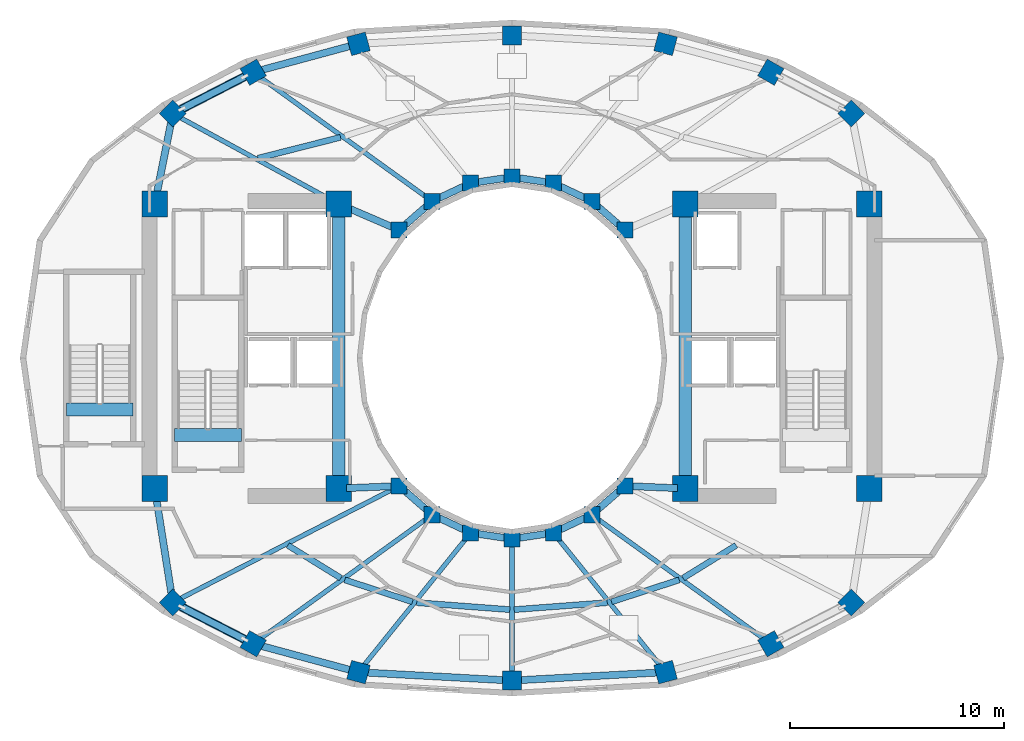
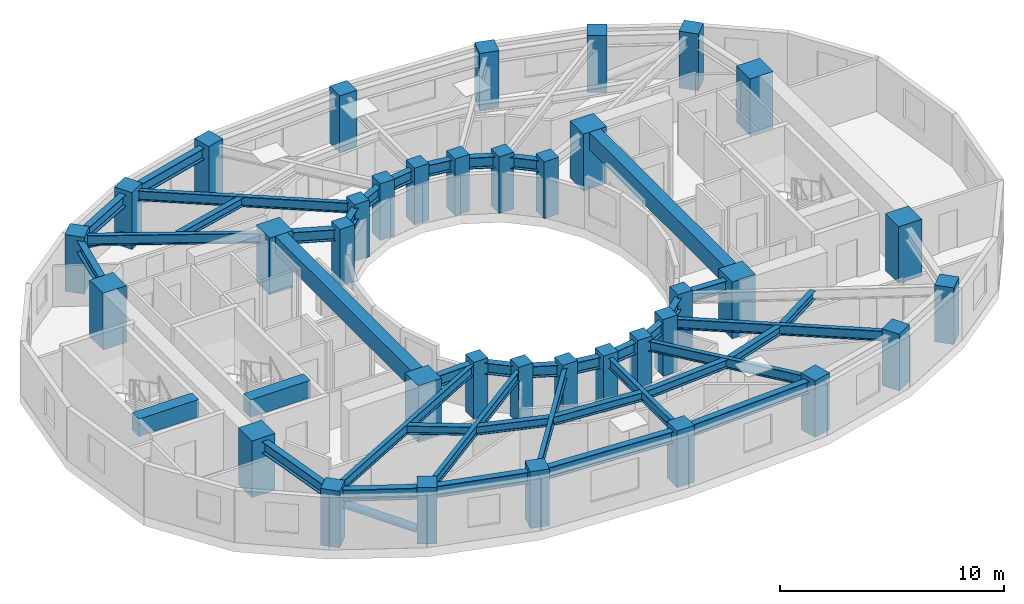
# One storey, part 1 of 9: 42 beams, 36 columns, 2 members.
"""IFC4 building model written with IfcOpenShell, lengths in metres."""

from ifc_helpers import new_model, si_unit, direction, frame, origin, origin_2d, place, context, subcontext, project, spatial, rectangle, hollow_circle, i_section, extrude, material, material_profile, profile_set, type_object, element, save


model = new_model("IFC4")

# Units and contexts
model_context = context("Model", 3, precision=1e-05, world=origin(), true_north=direction((0.0, 1.0)))
body_context = subcontext(model_context, "Body", "Model", "MODEL_VIEW")
ifc_project = project(units=[si_unit("LENGTHUNIT", "METRE"), si_unit("AREAUNIT", "SQUARE_METRE"), si_unit("VOLUMEUNIT", "CUBIC_METRE"), si_unit("PLANEANGLEUNIT", "RADIAN"), si_unit("MASSUNIT", "GRAM", prefix="KILO")], contexts=[model_context])

# Site, building, storey
site_placement = place(None, origin())
site = spatial("IfcSite", under=ifc_project, at=site_placement, CompositionType="ELEMENT")
building_placement = place(site_placement, origin())
building = spatial("IfcBuilding", under=site, at=building_placement, Name="Solvane Sanctuary Tower", CompositionType="ELEMENT")
storey_placement = place(building_placement, frame((0.0, 0.0, 162.199951171875)))
storey = spatial("IfcBuildingStorey", under=building, at=storey_placement, Name="L49", CompositionType="ELEMENT", Elevation=162.199951171875)

# Columns
ifc_material_1 = material(Name="Concrete C50/60", Category="concrete")
ifc_material_profile_1 = material_profile(ifc_material_1, rectangle(XDim=0.75, YDim=0.75, at=origin_2d()), Name="RC750X750")
ifc_profile_set_1 = profile_set([ifc_material_profile_1], Name="Concrete C50/60")
column_type_1 = type_object("IfcColumnType", Name="Column C-RING-Z3 RC750X750", PredefinedType="COLUMN", material=ifc_profile_set_1)
for number, where, z_axis, x_axis, name in (
    (1, (37.27490234375, 28.982177734375, 0.0), (0.0, 0.0, 1.0), (1.0, 0.0, 0.0), "L49 Inner Light-Well Ring Column IC01"),
    (2, (35.72998046875, 30.32666015625, 0.0), (0.0, 0.0, 1.0), (1.0, 0.0, 0.0), "L49 Inner Light-Well Ring Column IC02"),
    (3, (33.930908203125, 31.171630859375, 0.0), (0.0, 0.0, 1.0), (1.0, 0.0, 0.0), "L49 Inner Light-Well Ring Column IC03"),
    (4, (32.0, 31.4599609375, 0.0), (0.0, 0.0, 1.0), (1.0, 0.0, 0.0), "L49 Inner Light-Well Ring Column IC04"),
    (5, (30.069091796875, 31.171630859375, 0.0), (0.0, 0.0, 1.0), (1.0, 0.0, 0.0), "L49 Inner Light-Well Ring Column IC05"),
    (6, (28.27001953125, 30.32666015625, 0.0), (0.0, 0.0, 1.0), (1.0, 0.0, 0.0), "L49 Inner Light-Well Ring Column IC06"),
    (7, (26.72509765625, 28.982177734375, 0.0), (0.0, 0.0, 1.0), (1.0, 0.0, 0.0), "L49 Inner Light-Well Ring Column IC07"),
    (8, (26.72509765625, 17.017822265625, 0.0), (0.0, 0.0, 1.0), (1.0, 0.0, 0.0), "L49 Inner Light-Well Ring Column IC08"),
    (9, (28.27001953125, 15.67333984375, 0.0), (0.0, 0.0, 1.0), (1.0, 0.0, 0.0), "L49 Inner Light-Well Ring Column IC09"),
    (10, (30.069091796875, 14.828369140625, 0.0), (0.0, 0.0, 1.0), (1.0, 0.0, 0.0), "L49 Inner Light-Well Ring Column IC10"),
    (11, (32.0, 14.5400390625, 0.0), (0.0, 0.0, 1.0), (1.0, 0.0, 0.0), "L49 Inner Light-Well Ring Column IC11"),
    (12, (33.930908203125, 14.828369140625, 0.0), (0.0, 0.0, 1.0), (1.0, 0.0, 0.0), "L49 Inner Light-Well Ring Column IC12"),
    (13, (35.72998046875, 15.67333984375, 0.0), (0.0, 0.0, 1.0), (1.0, 0.0, 0.0), "L49 Inner Light-Well Ring Column IC13"),
    (14, (37.27490234375, 17.017822265625, 0.0), (0.0, 0.0, 1.0), (1.0, 0.0, 0.0), "L49 Inner Light-Well Ring Column IC14"),
):
    element("IfcColumn", number, at=place(storey_placement, frame(where, z_axis=z_axis, x_axis=x_axis)), inside=storey, type_object=column_type_1, Name=name, PredefinedType="COLUMN", context=body_context, shape_type="SweptSolid", body=[
        extrude(rectangle(XDim=0.75, YDim=0.75, at=origin_2d()), origin(), (0.0, 0.0, 1.0), 3.10009765625),
    ])
ifc_material_2 = material(Name="Concrete C70/85", Category="concrete")
ifc_material_profile_2 = material_profile(ifc_material_2, rectangle(XDim=1.199951171875, YDim=1.199951171875, at=origin_2d()), Name="RC1200X1200")
ifc_profile_set_2 = profile_set([ifc_material_profile_2], Name="Concrete C70/85")
column_type_2 = type_object("IfcColumnType", Name="Column C-TUBE-Z1 RC1200X1200", PredefinedType="COLUMN", material=ifc_profile_set_2)
for number, where, z_axis, x_axis, name in (
    (15, (15.300048828125, 16.89990234375, 0.0), (0.0, 0.0, 1.0), (1.0, 0.0, 0.0), "L49 Core Corner Column CW1"),
    (16, (23.89990234375, 16.89990234375, 0.0), (0.0, 0.0, 1.0), (1.0, 0.0, 0.0), "L49 Core Corner Column CW2"),
    (17, (23.89990234375, 30.199951171875, 0.0), (0.0, 0.0, 1.0), (1.0, 0.0, 0.0), "L49 Core Corner Column CW3"),
    (18, (15.300048828125, 30.199951171875, 0.0), (0.0, 0.0, 1.0), (1.0, 0.0, 0.0), "L49 Core Corner Column CW4"),
    (19, (40.10009765625, 16.89990234375, 0.0), (0.0, 0.0, 1.0), (1.0, 0.0, 0.0), "L49 Core Corner Column CE1"),
    (20, (48.699951171875, 16.89990234375, 0.0), (0.0, 0.0, 1.0), (1.0, 0.0, 0.0), "L49 Core Corner Column CE2"),
    (21, (48.699951171875, 30.199951171875, 0.0), (0.0, 0.0, 1.0), (1.0, 0.0, 0.0), "L49 Core Corner Column CE3"),
    (22, (40.10009765625, 30.199951171875, 0.0), (0.0, 0.0, 1.0), (1.0, 0.0, 0.0), "L49 Core Corner Column CE4"),
):
    element("IfcColumn", number, at=place(storey_placement, frame(where, z_axis=z_axis, x_axis=x_axis)), inside=storey, type_object=column_type_2, Name=name, PredefinedType="COLUMN", context=body_context, shape_type="SweptSolid", body=[
        extrude(rectangle(XDim=1.199951171875, YDim=1.199951171875, at=origin_2d()), origin(), (0.0, 0.0, 1.0), 3.10009765625),
    ])
ifc_material_3 = material(Name="Concrete C60/75", Category="concrete")
ifc_material_profile_3 = material_profile(ifc_material_3, rectangle(XDim=0.89990234375, YDim=0.89990234375, at=origin_2d()), Name="RC900X900")
ifc_profile_set_3 = profile_set([ifc_material_profile_3], Name="Concrete C60/75")
column_type_3 = type_object("IfcColumnType", Name="Column C-TUBE-Z3 RC900X900", PredefinedType="COLUMN", material=ifc_profile_set_3)
for number, where, z_axis, x_axis, name in (
    (23, (47.856689453125, 34.426513671875, 0.0), (0.0, 0.0, 1.0), (0.707106781187, 0.707106781187, 0.0), "L49 Perimeter Tube Column TC01"),
    (24, (44.09814453125, 36.359375, 0.0), (0.0, 0.0, 1.0), (0.5, 0.866025403784, 0.0), "L49 Perimeter Tube Column TC02"),
    (25, (39.17822265625, 37.686767578125, 0.0), (0.0, 0.0, 1.0), (0.258819045103, 0.965925826289, 0.0), "L49 Perimeter Tube Column TC03"),
    (26, (32.0, 38.080078125, 0.0), (0.0, 0.0, 1.0), (0.0, 1.0, 0.0), "L49 Perimeter Tube Column TC04"),
    (27, (24.82177734375, 37.686767578125, 0.0), (0.0, 0.0, 1.0), (-0.258819045103, 0.965925826289, 0.0), "L49 Perimeter Tube Column TC05"),
    (28, (19.90185546875, 36.359375, 0.0), (0.0, 0.0, 1.0), (-0.5, 0.866025403784, 0.0), "L49 Perimeter Tube Column TC06"),
    (29, (16.143310546875, 34.426513671875, 0.0), (0.0, 0.0, 1.0), (-0.707106781187, 0.707106781187, 0.0), "L49 Perimeter Tube Column TC07"),
    (30, (16.143310546875, 11.573486328125, 0.0), (0.0, 0.0, 1.0), (-0.707106781187, -0.707106781187, 0.0), "L49 Perimeter Tube Column TC08"),
    (31, (19.90185546875, 9.640625, 0.0), (0.0, 0.0, 1.0), (-0.5, -0.866025403784, 0.0), "L49 Perimeter Tube Column TC09"),
    (32, (24.82177734375, 8.313232421875, 0.0), (0.0, 0.0, 1.0), (-0.258819045103, -0.965925826289, 0.0), "L49 Perimeter Tube Column TC10"),
    (33, (32.0, 7.919921875, 0.0), (0.0, 0.0, 1.0), (0.0, -1.0, 0.0), "L49 Perimeter Tube Column TC11"),
    (34, (39.17822265625, 8.313232421875, 0.0), (0.0, 0.0, 1.0), (0.258819045103, -0.965925826289, 0.0), "L49 Perimeter Tube Column TC12"),
    (35, (44.09814453125, 9.640625, 0.0), (0.0, 0.0, 1.0), (0.5, -0.866025403784, 0.0), "L49 Perimeter Tube Column TC13"),
    (36, (47.856689453125, 11.573486328125, 0.0), (0.0, 0.0, 1.0), (0.707106781187, -0.707106781187, 0.0), "L49 Perimeter Tube Column TC14"),
):
    element("IfcColumn", number, at=place(storey_placement, frame(where, z_axis=z_axis, x_axis=x_axis)), inside=storey, type_object=column_type_3, Name=name, PredefinedType="COLUMN", context=body_context, shape_type="SweptSolid", body=[
        extrude(rectangle(XDim=0.89990234375, YDim=0.89990234375, at=origin_2d()), origin(), (0.0, 0.0, 1.0), 3.10009765625),
    ])

# Beams
ifc_material_profile_4 = material_profile(ifc_material_2, rectangle(XDim=0.60009765625, YDim=0.949951171875, at=origin_2d()), Name="RC600X950")
ifc_profile_set_4 = profile_set([ifc_material_profile_4], Name="Concrete C70/85")
beam_type_1 = type_object("IfcBeamType", Name="Beam B-COUPLE RC600X950", PredefinedType="LINTEL", material=ifc_profile_set_4)
for number, where, z_axis, x_axis, name in (
    (37, (23.89990234375, 17.35009765625, 2.625), (0.0, 1.0, 0.0), (-1.0, 0.0, 0.0), "L49 West Core Coupling Lintel"),
    (38, (40.10009765625, 17.35009765625, 2.625), (0.0, 1.0, 0.0), (-1.0, 0.0, 0.0), "L49 East Core Coupling Lintel"),
):
    element("IfcBeam", number, at=place(storey_placement, frame(where, z_axis=z_axis, x_axis=x_axis)), inside=storey, type_object=beam_type_1, Name=name, PredefinedType="LINTEL", context=body_context, shape_type="SweptSolid", body=[
        extrude(rectangle(XDim=0.60009765625, YDim=0.949951171875, at=origin_2d()), origin(), (0.0, 0.0, 1.0), 12.39990234375),
    ])
for number, where, z_axis, x_axis, name in (
    (39, (16.22998046875, 19.399169921875, 2.625), (1.0, 0.0, 0.0), (0.0, 1.0, 0.0), "L49 ST-1 Stair Floor Landing Trimmer"),
    (40, (11.169921875, 20.59912109375, 2.625), (1.0, 0.0, 0.0), (0.0, 1.0, 0.0), "L49 ST-3 Stair Floor Landing Trimmer"),
):
    element("IfcBeam", number, at=place(storey_placement, frame(where, z_axis=z_axis, x_axis=x_axis)), inside=storey, type_object=beam_type_1, Name=name, PredefinedType="LINTEL", context=body_context, shape_type="SweptSolid", body=[
        extrude(rectangle(XDim=0.60009765625, YDim=0.949951171875, at=origin_2d()), origin(), (0.0, 0.0, 1.0), 3.1201171875),
    ])
ifc_material_4 = material(Name="Steel ASTM A992 Grade 50", Category="steel")
ifc_material_profile_5 = material_profile(ifc_material_4, i_section(OverallWidth=0.214111328125, OverallDepth=0.549072265625, WebThickness=0.0146484375, FlangeThickness=0.023681640625, FilletRadius=0.014892578125, at=origin_2d()), Name="W21X93")
ifc_profile_set_5 = profile_set([ifc_material_profile_5], Name="Steel ASTM A992 Grade 50")
beam_type_2 = type_object("IfcBeamType", Name="Beam B-RAD-Z3 W21X93", PredefinedType="JOIST", material=ifc_profile_set_5)
beam_1_placement = place(storey_placement, frame((28.04296875, 30.490234375, 2.603515625), z_axis=(-0.811184384633, 0.584790470277, 0.0), x_axis=(-0.584790470277, -0.811184384633, 0.0)))
element("IfcBeam", 41, at=beam_1_placement, inside=storey, type_object=beam_type_2, Name="L49 Radial Composite Floor Beam 06", PredefinedType="JOIST", context=body_context, shape_type="SweptSolid", body=[
    extrude(i_section(OverallWidth=0.214111328125, OverallDepth=0.549072265625, WebThickness=0.0146484375, FlangeThickness=0.023681640625, FilletRadius=0.014892578125, at=origin_2d()), origin(), (0.0, 0.0, 1.0), 9.756103515625),
])
beam_2_placement = place(storey_placement, frame((23.583984375, 30.372314453125, 2.603515625), z_axis=(-0.878108435277, 0.478461676516, 0.0), x_axis=(-0.478461676516, -0.878108435277, 0.0)))
element("IfcBeam", 42, at=beam_2_placement, inside=storey, type_object=beam_type_2, Name="L49 Radial Composite Floor Beam 07", PredefinedType="JOIST", context=body_context, shape_type="SweptSolid", body=[
    extrude(i_section(OverallWidth=0.214111328125, OverallDepth=0.549072265625, WebThickness=0.0146484375, FlangeThickness=0.023681640625, FilletRadius=0.014892578125, at=origin_2d()), origin(), (0.0, 0.0, 1.0), 8.193359375),
])
beam_3_placement = place(storey_placement, frame((26.47607421875, 16.889892578125, 2.603515625), z_axis=(-0.889204980299, -0.457509019595, 0.0), x_axis=(0.457509019595, -0.889204980299, 0.0)))
element("IfcBeam", 43, at=beam_3_placement, inside=storey, type_object=beam_type_2, Name="L49 Radial Composite Floor Beam 08", PredefinedType="JOIST", context=body_context, shape_type="SweptSolid", body=[
    extrude(i_section(OverallWidth=0.214111328125, OverallDepth=0.549072265625, WebThickness=0.0146484375, FlangeThickness=0.023681640625, FilletRadius=0.014892578125, at=origin_2d()), origin(), (0.0, 0.0, 1.0), 11.340087890625),
])
beam_4_placement = place(storey_placement, frame((28.04296875, 15.509765625, 2.603515625), z_axis=(-0.811184384633, -0.584790470277, 0.0), x_axis=(0.584790470277, -0.811184384633, 0.0)))
element("IfcBeam", 44, at=beam_4_placement, inside=storey, type_object=beam_type_2, Name="L49 Radial Composite Floor Beam 09", PredefinedType="JOIST", context=body_context, shape_type="SweptSolid", body=[
    extrude(i_section(OverallWidth=0.214111328125, OverallDepth=0.549072265625, WebThickness=0.0146484375, FlangeThickness=0.023681640625, FilletRadius=0.014892578125, at=origin_2d()), origin(), (0.0, 0.0, 1.0), 9.756103515625),
])
beam_5_placement = place(storey_placement, frame((29.8935546875, 14.610107421875, 2.603515625), z_axis=(-0.627296867999, -0.778780225352, 0.0), x_axis=(0.778780225352, -0.627296867999, 0.0)))
element("IfcBeam", 45, at=beam_5_placement, inside=storey, type_object=beam_type_2, Name="L49 Radial Composite Floor Beam 10", PredefinedType="JOIST", context=body_context, shape_type="SweptSolid", body=[
    extrude(i_section(OverallWidth=0.214111328125, OverallDepth=0.549072265625, WebThickness=0.0146484375, FlangeThickness=0.023681640625, FilletRadius=0.014892578125, at=origin_2d()), origin(), (0.0, 0.0, 1.0), 7.805419921875),
])
beam_6_placement = place(storey_placement, frame((32.0, 14.260009765625, 2.603515625), z_axis=(0.0, -1.0, 0.0), x_axis=(1.0, 0.0, 0.0)))
element("IfcBeam", 46, at=beam_6_placement, inside=storey, type_object=beam_type_2, Name="L49 Radial Composite Floor Beam 11", PredefinedType="JOIST", context=body_context, shape_type="SweptSolid", body=[
    extrude(i_section(OverallWidth=0.214111328125, OverallDepth=0.549072265625, WebThickness=0.0146484375, FlangeThickness=0.023681640625, FilletRadius=0.014892578125, at=origin_2d()), origin(), (0.0, 0.0, 1.0), 6.06005859375),
])
beam_7_placement = place(storey_placement, frame((34.1064453125, 14.610107421875, 2.603515625), z_axis=(0.627296867999, -0.778780225352, 0.0), x_axis=(0.778780225352, 0.627296867999, 0.0)))
element("IfcBeam", 47, at=beam_7_placement, inside=storey, type_object=beam_type_2, Name="L49 Radial Composite Floor Beam 12", PredefinedType="JOIST", context=body_context, shape_type="SweptSolid", body=[
    extrude(i_section(OverallWidth=0.214111328125, OverallDepth=0.549072265625, WebThickness=0.0146484375, FlangeThickness=0.023681640625, FilletRadius=0.014892578125, at=origin_2d()), origin(), (0.0, 0.0, 1.0), 7.805419921875),
])
beam_8_placement = place(storey_placement, frame((35.95703125, 15.509765625, 2.603515625), z_axis=(0.811184384633, -0.584790470277, 0.0), x_axis=(0.584790470277, 0.811184384633, 0.0)))
element("IfcBeam", 48, at=beam_8_placement, inside=storey, type_object=beam_type_2, Name="L49 Radial Composite Floor Beam 13", PredefinedType="JOIST", context=body_context, shape_type="SweptSolid", body=[
    extrude(i_section(OverallWidth=0.214111328125, OverallDepth=0.549072265625, WebThickness=0.0146484375, FlangeThickness=0.023681640625, FilletRadius=0.014892578125, at=origin_2d()), origin(), (0.0, 0.0, 1.0), 9.756103515625),
])
ifc_material_profile_6 = material_profile(ifc_material_4, i_section(OverallWidth=0.324951171875, OverallDepth=0.615966796875, WebThickness=0.013916015625, FlangeThickness=0.021484375, FilletRadius=0.01611328125, at=origin_2d()), Name="W24X117")
ifc_profile_set_6 = profile_set([ifc_material_profile_6], Name="Steel ASTM A992 Grade 50")
beam_type_3 = type_object("IfcBeamType", Name="Beam B-RING-IN2 W24X117", PredefinedType="BEAM", material=ifc_profile_set_6)
beam_9_placement = place(storey_placement, frame((24.230712890625, 30.0576171875, 2.570068359375), z_axis=(0.918264067649, -0.395968561966, 0.0), x_axis=(0.395968561966, 0.918264067649, 0.0)))
element("IfcBeam", 49, at=beam_9_placement, inside=storey, type_object=beam_type_3, Name="L49 Inner Light-Well Ring Beam CW3-IC07", PredefinedType="BEAM", context=body_context, shape_type="SweptSolid", body=[
    extrude(i_section(OverallWidth=0.324951171875, OverallDepth=0.615966796875, WebThickness=0.013916015625, FlangeThickness=0.021484375, FilletRadius=0.01611328125, at=origin_2d()), origin(), (0.0, 0.0, 1.0), 2.371337890625),
])
beam_10_placement = place(storey_placement, frame((26.9853515625, 29.20849609375, 2.570068359375), z_axis=(0.754311313851, 0.656516901379, 0.0), x_axis=(-0.656516901379, 0.754311313851, 0.0)))
element("IfcBeam", 50, at=beam_10_placement, inside=storey, type_object=beam_type_3, Name="L49 Inner Light-Well Ring Beam IC07-IC06", PredefinedType="BEAM", context=body_context, shape_type="SweptSolid", body=[
    extrude(i_section(OverallWidth=0.324951171875, OverallDepth=0.615966796875, WebThickness=0.013916015625, FlangeThickness=0.021484375, FilletRadius=0.01611328125, at=origin_2d()), origin(), (0.0, 0.0, 1.0), 1.358154296875),
])
beam_11_placement = place(storey_placement, frame((28.582275390625, 30.473388671875, 2.570068359375), z_axis=(0.9051808128, 0.425026700502, 0.0), x_axis=(-0.425026700502, 0.9051808128, 0.0)))
element("IfcBeam", 51, at=beam_11_placement, inside=storey, type_object=beam_type_3, Name="L49 Inner Light-Well Ring Beam IC06-IC05", PredefinedType="BEAM", context=body_context, shape_type="SweptSolid", body=[
    extrude(i_section(OverallWidth=0.324951171875, OverallDepth=0.615966796875, WebThickness=0.013916015625, FlangeThickness=0.021484375, FilletRadius=0.01611328125, at=origin_2d()), origin(), (0.0, 0.0, 1.0), 1.297607421875),
])
for number, where, z_axis, x_axis, name in (
    (52, (30.410400390625, 31.22265625, 2.570068359375), (0.989019905763, 0.147782360259, 0.0), (-0.147782360259, 0.989019905763, 0.0), "L49 Inner Light-Well Ring Beam IC05-IC04"),
    (53, (32.34130859375, 31.4091796875, 2.570068359375), (0.989019905763, -0.147782360259, 0.0), (0.147782360259, 0.989019905763, 0.0), "L49 Inner Light-Well Ring Beam IC04-IC03"),
):
    element("IfcBeam", number, at=place(storey_placement, frame(where, z_axis=z_axis, x_axis=x_axis)), inside=storey, type_object=beam_type_3, Name=name, PredefinedType="BEAM", context=body_context, shape_type="SweptSolid", body=[
        extrude(i_section(OverallWidth=0.324951171875, OverallDepth=0.615966796875, WebThickness=0.013916015625, FlangeThickness=0.021484375, FilletRadius=0.01611328125, at=origin_2d()), origin(), (0.0, 0.0, 1.0), 1.26220703125),
    ])
beam_12_placement = place(storey_placement, frame((34.2431640625, 31.02490234375, 2.570068359375), z_axis=(0.9051808128, -0.425026700502, 0.0), x_axis=(0.425026700502, 0.9051808128, 0.0)))
element("IfcBeam", 54, at=beam_12_placement, inside=storey, type_object=beam_type_3, Name="L49 Inner Light-Well Ring Beam IC03-IC02", PredefinedType="BEAM", context=body_context, shape_type="SweptSolid", body=[
    extrude(i_section(OverallWidth=0.324951171875, OverallDepth=0.615966796875, WebThickness=0.013916015625, FlangeThickness=0.021484375, FilletRadius=0.01611328125, at=origin_2d()), origin(), (0.0, 0.0, 1.0), 1.297607421875),
])
beam_13_placement = place(storey_placement, frame((35.990234375, 30.10009765625, 2.570068359375), z_axis=(0.754311313851, -0.656516901379, 0.0), x_axis=(0.656516901379, 0.754311313851, 0.0)))
element("IfcBeam", 55, at=beam_13_placement, inside=storey, type_object=beam_type_3, Name="L49 Inner Light-Well Ring Beam IC02-IC01", PredefinedType="BEAM", context=body_context, shape_type="SweptSolid", body=[
    extrude(i_section(OverallWidth=0.324951171875, OverallDepth=0.615966796875, WebThickness=0.013916015625, FlangeThickness=0.021484375, FilletRadius=0.01611328125, at=origin_2d()), origin(), (0.0, 0.0, 1.0), 1.358154296875),
])
beam_14_placement = place(storey_placement, frame((24.259765625, 16.9150390625, 2.570068359375), z_axis=(0.999132674336, 0.041640113759, 0.0), x_axis=(-0.041640113759, 0.999132674336, 0.0)))
element("IfcBeam", 56, at=beam_14_placement, inside=storey, type_object=beam_type_3, Name="L49 Inner Light-Well Ring Beam CW2-IC08", PredefinedType="BEAM", context=body_context, shape_type="SweptSolid", body=[
    extrude(i_section(OverallWidth=0.324951171875, OverallDepth=0.615966796875, WebThickness=0.013916015625, FlangeThickness=0.021484375, FilletRadius=0.01611328125, at=origin_2d()), origin(), (0.0, 0.0, 1.0), 2.12255859375),
])
beam_15_placement = place(storey_placement, frame((26.9853515625, 16.79150390625, 2.570068359375), z_axis=(0.754311313851, -0.656516901379, 0.0), x_axis=(0.656516901379, 0.754311313851, 0.0)))
element("IfcBeam", 57, at=beam_15_placement, inside=storey, type_object=beam_type_3, Name="L49 Inner Light-Well Ring Beam IC08-IC09", PredefinedType="BEAM", context=body_context, shape_type="SweptSolid", body=[
    extrude(i_section(OverallWidth=0.324951171875, OverallDepth=0.615966796875, WebThickness=0.013916015625, FlangeThickness=0.021484375, FilletRadius=0.01611328125, at=origin_2d()), origin(), (0.0, 0.0, 1.0), 1.358154296875),
])
beam_16_placement = place(storey_placement, frame((28.582275390625, 15.526611328125, 2.570068359375), z_axis=(0.9051808128, -0.425026700502, 0.0), x_axis=(0.425026700502, 0.9051808128, 0.0)))
element("IfcBeam", 58, at=beam_16_placement, inside=storey, type_object=beam_type_3, Name="L49 Inner Light-Well Ring Beam IC09-IC10", PredefinedType="BEAM", context=body_context, shape_type="SweptSolid", body=[
    extrude(i_section(OverallWidth=0.324951171875, OverallDepth=0.615966796875, WebThickness=0.013916015625, FlangeThickness=0.021484375, FilletRadius=0.01611328125, at=origin_2d()), origin(), (0.0, 0.0, 1.0), 1.297607421875),
])
for number, where, z_axis, x_axis, name in (
    (59, (30.410400390625, 14.77734375, 2.570068359375), (0.989019905763, -0.147782360259, 0.0), (0.147782360259, 0.989019905763, 0.0), "L49 Inner Light-Well Ring Beam IC10-IC11"),
    (60, (32.34130859375, 14.5908203125, 2.570068359375), (0.989019905763, 0.147782360259, 0.0), (-0.147782360259, 0.989019905763, 0.0), "L49 Inner Light-Well Ring Beam IC11-IC12"),
):
    element("IfcBeam", number, at=place(storey_placement, frame(where, z_axis=z_axis, x_axis=x_axis)), inside=storey, type_object=beam_type_3, Name=name, PredefinedType="BEAM", context=body_context, shape_type="SweptSolid", body=[
        extrude(i_section(OverallWidth=0.324951171875, OverallDepth=0.615966796875, WebThickness=0.013916015625, FlangeThickness=0.021484375, FilletRadius=0.01611328125, at=origin_2d()), origin(), (0.0, 0.0, 1.0), 1.26220703125),
    ])
beam_17_placement = place(storey_placement, frame((34.2431640625, 14.97509765625, 2.570068359375), z_axis=(0.9051808128, 0.425026700502, 0.0), x_axis=(-0.425026700502, 0.9051808128, 0.0)))
element("IfcBeam", 61, at=beam_17_placement, inside=storey, type_object=beam_type_3, Name="L49 Inner Light-Well Ring Beam IC12-IC13", PredefinedType="BEAM", context=body_context, shape_type="SweptSolid", body=[
    extrude(i_section(OverallWidth=0.324951171875, OverallDepth=0.615966796875, WebThickness=0.013916015625, FlangeThickness=0.021484375, FilletRadius=0.01611328125, at=origin_2d()), origin(), (0.0, 0.0, 1.0), 1.297607421875),
])
beam_18_placement = place(storey_placement, frame((35.990234375, 15.89990234375, 2.570068359375), z_axis=(0.754311313851, 0.656516901379, 0.0), x_axis=(-0.656516901379, 0.754311313851, 0.0)))
element("IfcBeam", 62, at=beam_18_placement, inside=storey, type_object=beam_type_3, Name="L49 Inner Light-Well Ring Beam IC13-IC14", PredefinedType="BEAM", context=body_context, shape_type="SweptSolid", body=[
    extrude(i_section(OverallWidth=0.324951171875, OverallDepth=0.615966796875, WebThickness=0.013916015625, FlangeThickness=0.021484375, FilletRadius=0.01611328125, at=origin_2d()), origin(), (0.0, 0.0, 1.0), 1.358154296875),
])
beam_19_placement = place(storey_placement, frame((37.61962890625, 17.00341796875, 2.570068359375), z_axis=(0.999132674336, -0.041640113759, 0.0), x_axis=(0.041640113759, 0.999132674336, 0.0)))
element("IfcBeam", 63, at=beam_19_placement, inside=storey, type_object=beam_type_3, Name="L49 Inner Light-Well Ring Beam IC14-CE1", PredefinedType="BEAM", context=body_context, shape_type="SweptSolid", body=[
    extrude(i_section(OverallWidth=0.324951171875, OverallDepth=0.615966796875, WebThickness=0.013916015625, FlangeThickness=0.021484375, FilletRadius=0.01611328125, at=origin_2d()), origin(), (0.0, 0.0, 1.0), 2.12255859375),
])
ifc_material_profile_7 = material_profile(ifc_material_4, i_section(OverallWidth=0.280029296875, OverallDepth=0.462890625, WebThickness=0.0107421875, FlangeThickness=0.017333984375, FilletRadius=0.013916015625, at=origin_2d()), Name="W18X76")
ifc_profile_set_7 = profile_set([ifc_material_profile_7], Name="Steel ASTM A992 Grade 50")
beam_type_4 = type_object("IfcBeamType", Name="Beam B-SEC-JOIST W18X76", PredefinedType="JOIST", material=ifc_profile_set_7)
beam_20_placement = place(storey_placement, frame((20.12060546875, 32.33837890625, 2.646484375), z_axis=(0.969378020231, 0.245573316737, 0.0), x_axis=(-0.245573316737, 0.969378020231, 0.0)))
element("IfcBeam", 64, at=beam_20_placement, inside=storey, type_object=beam_type_4, Name="L49 Secondary Circumferential Joist 07-06", PredefinedType="JOIST", context=body_context, shape_type="SweptSolid", body=[
    extrude(i_section(OverallWidth=0.280029296875, OverallDepth=0.462890625, WebThickness=0.0107421875, FlangeThickness=0.017333984375, FilletRadius=0.013916015625, at=origin_2d()), origin(), (0.0, 0.0, 1.0), 3.988525390625),
])
beam_21_placement = place(storey_placement, frame((21.52099609375, 14.2421875, 2.646484375), z_axis=(0.850675655701, -0.525690906139, 0.0), x_axis=(0.525690906139, 0.850675655701, 0.0)))
element("IfcBeam", 65, at=beam_21_placement, inside=storey, type_object=beam_type_4, Name="L49 Secondary Circumferential Joist 08-09", PredefinedType="JOIST", context=body_context, shape_type="SweptSolid", body=[
    extrude(i_section(OverallWidth=0.280029296875, OverallDepth=0.462890625, WebThickness=0.0107421875, FlangeThickness=0.017333984375, FilletRadius=0.013916015625, at=origin_2d()), origin(), (0.0, 0.0, 1.0), 2.913330078125),
])
beam_22_placement = place(storey_placement, frame((24.18310546875, 12.625732421875, 2.646484375), z_axis=(0.951499502658, -0.307650282695, 0.0), x_axis=(0.307650282695, 0.951499502658, 0.0)))
element("IfcBeam", 66, at=beam_22_placement, inside=storey, type_object=beam_type_4, Name="L49 Secondary Circumferential Joist 09-10", PredefinedType="JOIST", context=body_context, shape_type="SweptSolid", body=[
    extrude(i_section(OverallWidth=0.280029296875, OverallDepth=0.462890625, WebThickness=0.0107421875, FlangeThickness=0.017333984375, FilletRadius=0.013916015625, at=origin_2d()), origin(), (0.0, 0.0, 1.0), 3.32666015625),
])
for number, where, z_axis, x_axis, name in (
    (67, (27.547119140625, 11.563232421875, 2.646484375), (0.99721035762, -0.074642498994, 0.0), (0.074642498994, 0.99721035762, 0.0), "L49 Secondary Circumferential Joist 10-11"),
    (68, (32.101806640625, 11.237548828125, 2.646484375), (0.99721035762, 0.074642498994, 0.0), (-0.074642498994, 0.99721035762, 0.0), "L49 Secondary Circumferential Joist 11-12"),
):
    element("IfcBeam", number, at=place(storey_placement, frame(where, z_axis=z_axis, x_axis=x_axis)), inside=storey, type_object=beam_type_4, Name=name, PredefinedType="JOIST", context=body_context, shape_type="SweptSolid", body=[
        extrude(i_section(OverallWidth=0.280029296875, OverallDepth=0.462890625, WebThickness=0.0107421875, FlangeThickness=0.017333984375, FilletRadius=0.013916015625, at=origin_2d()), origin(), (0.0, 0.0, 1.0), 4.36328125),
    ])
beam_23_placement = place(storey_placement, frame((36.651611328125, 11.602294921875, 2.646484375), z_axis=(0.951499502658, 0.307650282695, 0.0), x_axis=(-0.307650282695, 0.951499502658, 0.0)))
element("IfcBeam", 69, at=beam_23_placement, inside=storey, type_object=beam_type_4, Name="L49 Secondary Circumferential Joist 12-13", PredefinedType="JOIST", context=body_context, shape_type="SweptSolid", body=[
    extrude(i_section(OverallWidth=0.280029296875, OverallDepth=0.462890625, WebThickness=0.0107421875, FlangeThickness=0.017333984375, FilletRadius=0.013916015625, at=origin_2d()), origin(), (0.0, 0.0, 1.0), 3.32666015625),
])
beam_24_placement = place(storey_placement, frame((40.0009765625, 12.710693359375, 2.646484375), z_axis=(0.850652494422, 0.525728383991, 0.0), x_axis=(-0.525728383991, 0.850652494422, 0.0)))
element("IfcBeam", 70, at=beam_24_placement, inside=storey, type_object=beam_type_4, Name="L49 Secondary Circumferential Joist 13-14", PredefinedType="JOIST", context=body_context, shape_type="SweptSolid", body=[
    extrude(i_section(OverallWidth=0.280029296875, OverallDepth=0.462890625, WebThickness=0.0107421875, FlangeThickness=0.017333984375, FilletRadius=0.013916015625, at=origin_2d()), origin(), (0.0, 0.0, 1.0), 2.9130859375),
])
ifc_material_profile_8 = material_profile(ifc_material_4, i_section(OverallWidth=0.327880859375, OverallDepth=0.6279296875, WebThickness=0.0166015625, FlangeThickness=0.027587890625, FilletRadius=0.01611328125, at=origin_2d()), Name="W24X146")
ifc_profile_set_8 = profile_set([ifc_material_profile_8], Name="Steel ASTM A992 Grade 50")
beam_type_5 = type_object("IfcBeamType", Name="Beam B-SPAND-Z3 W24X146", PredefinedType="SPANDREL", material=ifc_profile_set_8)
beam_25_placement = place(storey_placement, frame((15.354736328125, 30.474609375, 2.56396484375), z_axis=(0.195715452505, 0.980660727087, 0.0), x_axis=(-0.980660727087, 0.195715452505, 0.0)))
element("IfcBeam", 71, at=beam_25_placement, inside=storey, type_object=beam_type_5, Name="L49 Perimeter Spandrel Beam CW4-TC07", PredefinedType="SPANDREL", context=body_context, shape_type="SweptSolid", body=[
    extrude(i_section(OverallWidth=0.327880859375, OverallDepth=0.6279296875, WebThickness=0.0166015625, FlangeThickness=0.027587890625, FilletRadius=0.01611328125, at=origin_2d()), origin(), (0.0, 0.0, 1.0), 3.749755859375),
])
beam_26_placement = place(storey_placement, frame((16.392333984375, 34.554443359375, 2.56396484375), z_axis=(0.889295540094, 0.457332966632, 0.0), x_axis=(-0.457332966632, 0.889295540094, 0.0)))
element("IfcBeam", 72, at=beam_26_placement, inside=storey, type_object=beam_type_5, Name="L49 Perimeter Spandrel Beam TC07-TC06", PredefinedType="SPANDREL", context=body_context, shape_type="SweptSolid", body=[
    extrude(i_section(OverallWidth=0.327880859375, OverallDepth=0.6279296875, WebThickness=0.0166015625, FlangeThickness=0.027587890625, FilletRadius=0.01611328125, at=origin_2d()), origin(), (0.0, 0.0, 1.0), 3.66650390625),
])
beam_27_placement = place(storey_placement, frame((20.172119140625, 36.43212890625, 2.56396484375), z_axis=(0.965473224565, 0.260502308334, 0.0), x_axis=(-0.260502308334, 0.965473224565, 0.0)))
element("IfcBeam", 73, at=beam_27_placement, inside=storey, type_object=beam_type_5, Name="L49 Perimeter Spandrel Beam TC06-TC05", PredefinedType="SPANDREL", context=body_context, shape_type="SweptSolid", body=[
    extrude(i_section(OverallWidth=0.327880859375, OverallDepth=0.6279296875, WebThickness=0.0166015625, FlangeThickness=0.027587890625, FilletRadius=0.01611328125, at=origin_2d()), origin(), (0.0, 0.0, 1.0), 4.535888671875),
])
beam_28_placement = place(storey_placement, frame((15.34375, 16.623291015625, 2.56396484375), z_axis=(0.156406167317, -0.987692822099, 0.0), x_axis=(0.987692822099, 0.156406167317, 0.0)))
element("IfcBeam", 74, at=beam_28_placement, inside=storey, type_object=beam_type_5, Name="L49 Perimeter Spandrel Beam CW1-TC08", PredefinedType="SPANDREL", context=body_context, shape_type="SweptSolid", body=[
    extrude(i_section(OverallWidth=0.327880859375, OverallDepth=0.6279296875, WebThickness=0.0166015625, FlangeThickness=0.027587890625, FilletRadius=0.01611328125, at=origin_2d()), origin(), (0.0, 0.0, 1.0), 4.832763671875),
])
beam_29_placement = place(storey_placement, frame((16.392333984375, 11.445556640625, 2.56396484375), z_axis=(0.889295540094, -0.457332966632, 0.0), x_axis=(0.457332966632, 0.889295540094, 0.0)))
element("IfcBeam", 75, at=beam_29_placement, inside=storey, type_object=beam_type_5, Name="L49 Perimeter Spandrel Beam TC08-TC09", PredefinedType="SPANDREL", context=body_context, shape_type="SweptSolid", body=[
    extrude(i_section(OverallWidth=0.327880859375, OverallDepth=0.6279296875, WebThickness=0.0166015625, FlangeThickness=0.027587890625, FilletRadius=0.01611328125, at=origin_2d()), origin(), (0.0, 0.0, 1.0), 3.66650390625),
])
beam_30_placement = place(storey_placement, frame((20.172119140625, 9.56787109375, 2.56396484375), z_axis=(0.965473224565, -0.260502308334, 0.0), x_axis=(0.260502308334, 0.965473224565, 0.0)))
element("IfcBeam", 76, at=beam_30_placement, inside=storey, type_object=beam_type_5, Name="L49 Perimeter Spandrel Beam TC09-TC10", PredefinedType="SPANDREL", context=body_context, shape_type="SweptSolid", body=[
    extrude(i_section(OverallWidth=0.327880859375, OverallDepth=0.6279296875, WebThickness=0.0166015625, FlangeThickness=0.027587890625, FilletRadius=0.01611328125, at=origin_2d()), origin(), (0.0, 0.0, 1.0), 4.535888671875),
])
for number, where, z_axis, x_axis, name in (
    (77, (25.101318359375, 8.298095703125, 2.56396484375), (0.998501325362, -0.054727536496, 0.0), (0.054727536496, 0.998501325362, 0.0), "L49 Perimeter Spandrel Beam TC10-TC11"),
    (78, (32.279541015625, 7.935302734375, 2.56396484375), (0.998501325362, 0.054727536496, 0.0), (-0.054727536496, 0.998501325362, 0.0), "L49 Perimeter Spandrel Beam TC11-TC12"),
):
    element("IfcBeam", number, at=place(storey_placement, frame(where, z_axis=z_axis, x_axis=x_axis)), inside=storey, type_object=beam_type_5, Name=name, PredefinedType="SPANDREL", context=body_context, shape_type="SweptSolid", body=[
        extrude(i_section(OverallWidth=0.327880859375, OverallDepth=0.6279296875, WebThickness=0.0166015625, FlangeThickness=0.027587890625, FilletRadius=0.01611328125, at=origin_2d()), origin(), (0.0, 0.0, 1.0), 6.629150390625),
    ])

# Members
ifc_material_profile_9 = material_profile(ifc_material_4, hollow_circle(Radius=0.202880859375, WallThickness=0.012451171875, at=origin_2d()), Name="CHS406X12.5")
ifc_profile_set_9 = profile_set([ifc_material_profile_9], Name="Steel ASTM A992 Grade 50")
member_type = type_object("IfcMemberType", Name="Member M-TUBE-Z3 CHS406X12.5", PredefinedType="BRACE", material=ifc_profile_set_9)
for number, where, z_axis, x_axis, name in (
    (79, (19.4931640625, 36.149169921875, 0.58349609375), (-0.813251703989, -0.418247617111, 0.404586945834), (0.457351371069, -0.889286075108, 0.0), "L49 Perimeter Braced-Tube Diagonal NW"),
    (80, (19.4931640625, 9.850830078125, 0.58349609375), (-0.813251703989, 0.418247617111, 0.404586945834), (-0.457351371069, -0.889286075108, 0.0), "L49 Perimeter Braced-Tube Diagonal SW"),
):
    element("IfcMember", number, at=place(storey_placement, frame(where, z_axis=z_axis, x_axis=x_axis)), inside=storey, type_object=member_type, Name=name, PredefinedType="BRACE", context=body_context, shape_type="SweptSolid", body=[
        extrude(hollow_circle(Radius=0.202880859375, WallThickness=0.012451171875, at=origin_2d()), origin(), (0.0, 0.0, 1.0), 3.59228515625),
    ])

save(model, "model.ifc")
